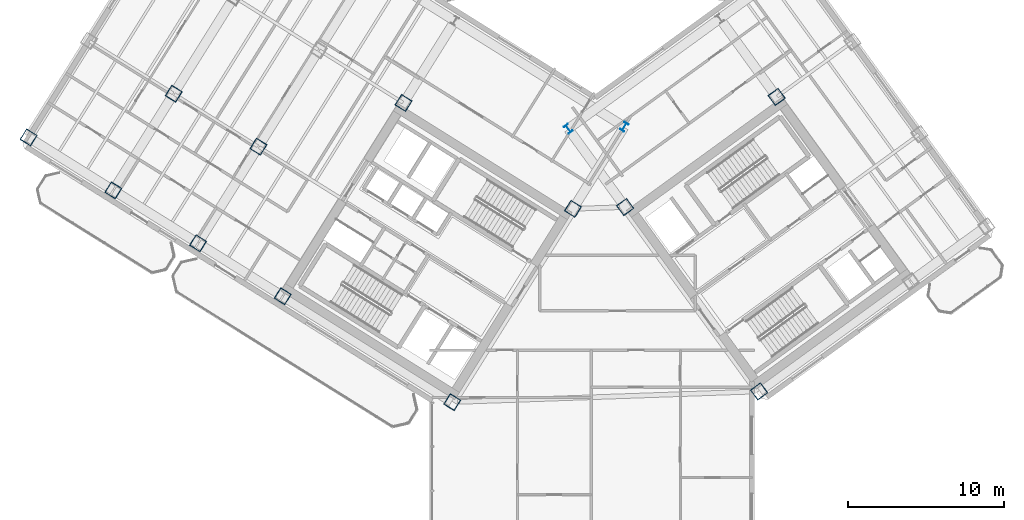
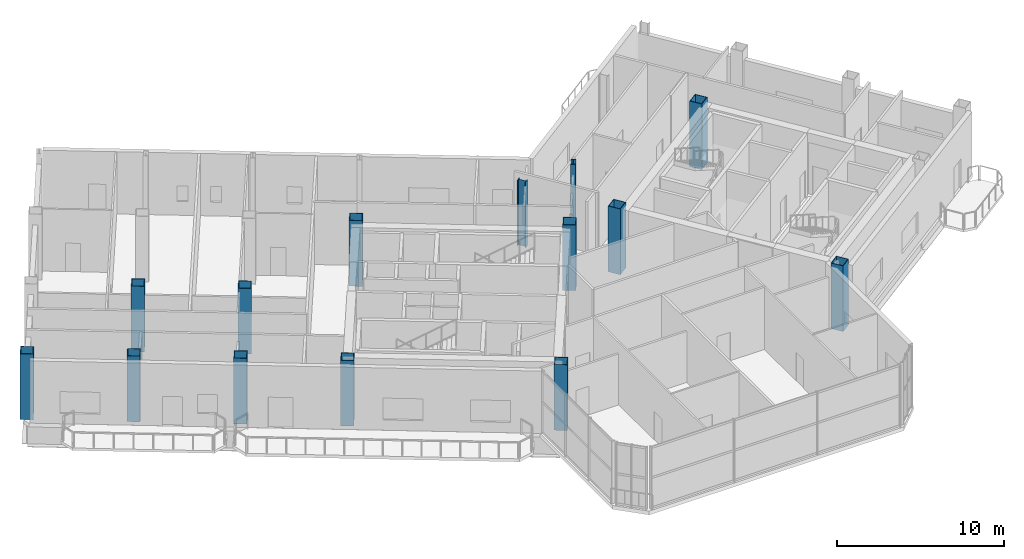
# One storey, part 1 of 21: 14 columns.
"""IFC4 building model written with IfcOpenShell, lengths in metres."""

from ifc_helpers import new_model, si_unit, direction, frame, origin, origin_2d, place, context, subcontext, project, spatial, hollow_rectangle, i_section, extrude, source, transform, mapped, material, material_profile, profile_set, type_object, element, save


model = new_model("IFC4")

# Units and contexts
model_context = context("Model", 3, precision=1e-05, world=origin(), true_north=direction((0.0, 1.0)))
body_context = subcontext(model_context, "Body", "Model", "MODEL_VIEW")
ifc_project = project(units=[si_unit("LENGTHUNIT", "METRE"), si_unit("AREAUNIT", "SQUARE_METRE"), si_unit("VOLUMEUNIT", "CUBIC_METRE"), si_unit("PLANEANGLEUNIT", "RADIAN"), si_unit("MASSUNIT", "GRAM", prefix="KILO")], contexts=[model_context])

# Site, building, storey
site_placement = place(None, origin())
site = spatial("IfcSite", under=ifc_project, at=site_placement, CompositionType="ELEMENT")
building_placement = place(site_placement, origin())
building = spatial("IfcBuilding", under=site, at=building_placement, Name="Tlacorven Tower", CompositionType="ELEMENT")
storey_placement = place(building_placement, frame((0.0, 0.0, 179.39990234375)))
storey = spatial("IfcBuildingStorey", under=building, at=storey_placement, Name="L45", CompositionType="ELEMENT", Elevation=179.39990234375)

# Columns
ifc_material = material(Name="Steel S460M", Category="steel")
ifc_material_profile_1 = material_profile(ifc_material, i_section(OverallWidth=0.300048828125, OverallDepth=0.550048828125, WebThickness=0.014892578125, FlangeThickness=0.029052734375, at=origin_2d()), Name="HEB 550")
ifc_profile_set_1 = profile_set([ifc_material_profile_1], Name="Steel S460M")
column_type_1 = type_object("IfcColumnType", Name="COL-TWR-P2", PredefinedType="COLUMN", material=ifc_profile_set_1)
shared_shape_1 = source(origin(), body_context, "Body", "SweptSolid", [
    extrude(i_section(OverallWidth=0.300048828125, OverallDepth=0.550048828125, WebThickness=0.014892578125, FlangeThickness=0.029052734375, at=origin_2d()), origin(), (0.0, 0.0, 1.0), 4.800048828125),
])
for number, where, z_axis, x_axis, name in (
    (1, (44.068359375, 29.726318359375, 0.0), (0.0, 0.0, 1.0), (-0.848048096156, 0.529919264233, 0.0), "L45 column COL-L45-W1-1"),
    (2, (40.4794921875, 29.60107421875, 0.0), (0.0, 0.0, 1.0), (0.809016994375, 0.587785252292, 0.0), "L45 column COL-L45-E1-4"),
):
    element("IfcColumn", number, at=place(storey_placement, frame(where, z_axis=z_axis, x_axis=x_axis)), inside=storey, type_object=column_type_1, Name=name, PredefinedType="COLUMN", context=body_context, shape_type="MappedRepresentation", body=[
        mapped(shared_shape_1, transform((0.0, 0.0, 0.0), scale=1.0)),
    ])
ifc_material_profile_2 = material_profile(ifc_material, hollow_rectangle(XDim=0.800048828125, YDim=0.800048828125, WallThickness=0.031982421875, at=origin_2d()), Name="BOX 800X800X32")
ifc_profile_set_2 = profile_set([ifc_material_profile_2], Name="Steel S460M")
column_type_2 = type_object("IfcColumnType", Name="COL-TWR-S3", PredefinedType="COLUMN", material=ifc_profile_set_2)
shared_shape_2 = source(origin(), body_context, "Body", "SweptSolid", [
    extrude(hollow_rectangle(XDim=0.800048828125, YDim=0.800048828125, WallThickness=0.031982421875, at=origin_2d()), origin(), (0.0, 0.0, 1.0), 4.800048828125),
])
for number, where, z_axis, x_axis, name in (
    (3, (40.782958984375, 24.468505859375, 0.0), (0.0, 0.0, 1.0), (-0.848048096156, 0.529919264233, 0.0), "L45 column COL-L45-W1-2"),
    (4, (33.046142578125, 12.0869140625, 0.0), (0.0, 0.0, 1.0), (-0.848048096156, 0.529919264233, 0.0), "L45 column COL-L45-W1-4"),
    (5, (29.927978515625, 31.25146484375, 0.0), (0.0, 0.0, 1.0), (-0.848048096156, 0.529919264233, 0.0), "L45 column COL-L45-W3-2"),
    (6, (22.191162109375, 18.869873046875, 0.0), (0.0, 0.0, 1.0), (-0.848048096156, 0.529919264233, 0.0), "L45 column COL-L45-W3-4"),
    (7, (20.632080078125, 28.4521484375, 0.0), (0.0, 0.0, 1.0), (-0.848048096156, 0.529919264233, 0.0), "L45 column COL-L45-W4-3"),
    (8, (16.763671875, 22.26123046875, 0.0), (0.0, 0.0, 1.0), (-0.848048096156, 0.529919264233, 0.0), "L45 column COL-L45-W4-4"),
    (9, (15.20458984375, 31.843505859375, 0.0), (0.0, 0.0, 1.0), (-0.848048096156, 0.529919264233, 0.0), "L45 column COL-L45-W5-3"),
    (10, (11.336181640625, 25.65283203125, 0.0), (0.0, 0.0, 1.0), (-0.848048096156, 0.529919264233, 0.0), "L45 column COL-L45-W5-4"),
    (11, (5.90869140625, 29.044189453125, 0.0), (0.0, 0.0, 1.0), (-0.848048096156, 0.529919264233, 0.0), "L45 column COL-L45-W6-4"),
    (12, (52.705322265625, 12.7734375, 0.0), (0.0, 0.0, 1.0), (0.809016994375, 0.587785252292, 0.0), "L45 column COL-L45-E1-1"),
    (13, (44.123779296875, 24.5849609375, 0.0), (0.0, 0.0, 1.0), (0.809016994375, 0.587785252292, 0.0), "L45 column COL-L45-E1-3"),
    (14, (53.83203125, 31.638427734375, 0.0), (0.0, 0.0, 1.0), (0.809016994375, 0.587785252292, 0.0), "L45 column COL-L45-E3-3"),
):
    element("IfcColumn", number, at=place(storey_placement, frame(where, z_axis=z_axis, x_axis=x_axis)), inside=storey, type_object=column_type_2, Name=name, PredefinedType="COLUMN", context=body_context, shape_type="MappedRepresentation", body=[
        mapped(shared_shape_2, transform((0.0, 0.0, 0.0), scale=1.0)),
    ])

save(model, "model.ifc")
